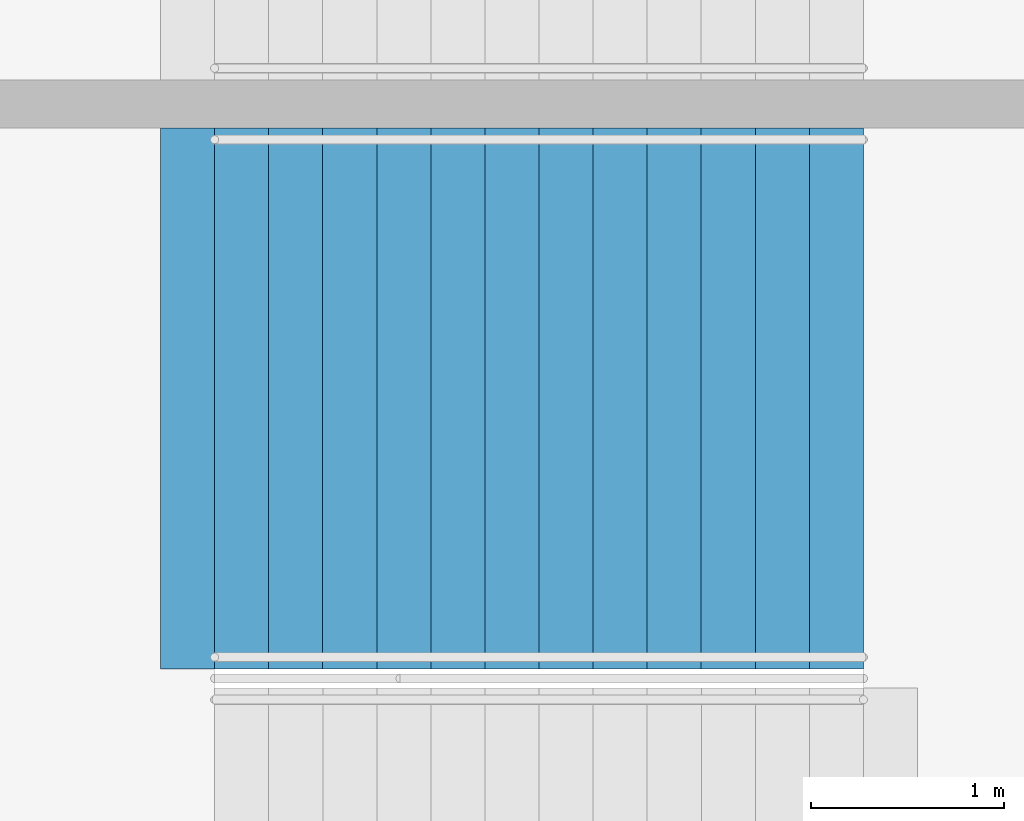
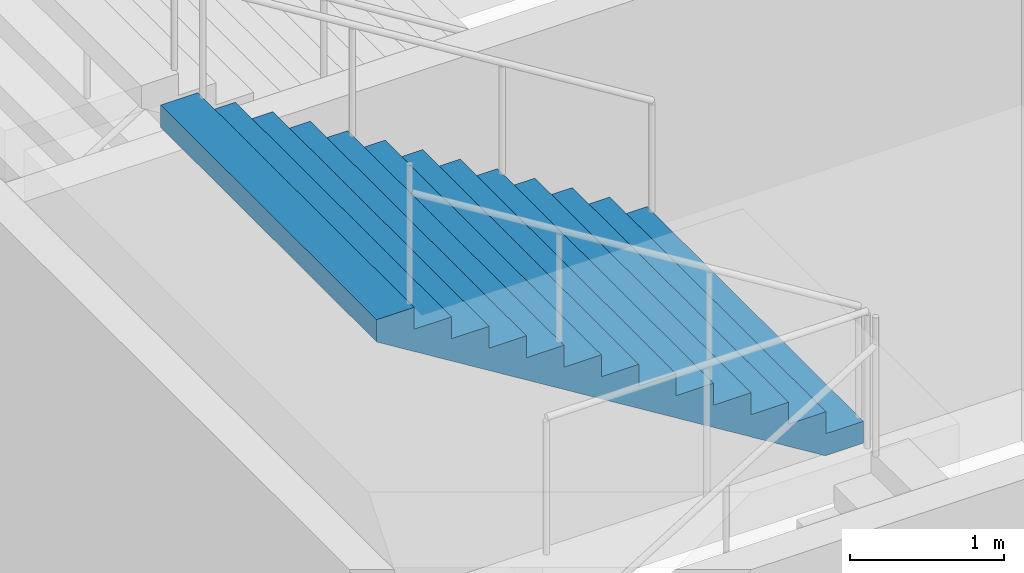
# One storey, part 172 of 199: 1 stair flight, 1 element without a shape of its own.
"""IFC4 building model written with IfcOpenShell, lengths in metres."""

import ifcopenshell
import ifcopenshell.guid

model = None  # the IFC model being written
_history = None  # IfcOwnerHistory: only IFC2X3 demands one
_inside = {}  # id of a spatial element -> (the spatial element, [elements in it])
_under = {}  # id of a project, library or spatial element -> (it, [spatial elements below it])
_declared = {}  # id of a project -> (the project, [libraries it declares])
_typed = {}  # id of a type object -> (the type object, [elements of that type])
_made_of = {}  # id of a material, layer set ... -> (it, [elements and type objects made of it])


def new_model(schema):
    """Start an empty IFC model of exactly this schema.

    Asked for "IFC4X3", IfcOpenShell would pick the latest addendum, in which some entities
    have other attributes; the version numbers below select the first issue.
    IFC2X3 requires an IfcOwnerHistory on every rooted entity: one is made here for all.
    """
    global model, _history
    if schema == "IFC4X3":
        model = ifcopenshell.file(schema_version=(4, 3, 0, 0))
    else:
        model = ifcopenshell.file(schema=schema)
    _inside.clear()
    _under.clear()
    _declared.clear()
    _typed.clear()
    _made_of.clear()
    _history = None
    if model.schema == "IFC2X3":
        org = make("IfcOrganization", Name="unknown")
        user = make(
            "IfcPersonAndOrganization",
            ThePerson=make("IfcPerson", FamilyName="unknown"),
            TheOrganization=org,
        )
        app = make(
            "IfcApplication",
            ApplicationDeveloper=org,
            Version="unknown",
            ApplicationFullName="unknown",
            ApplicationIdentifier="unknown",
        )
        _history = make(
            "IfcOwnerHistory",
            OwningUser=user,
            OwningApplication=app,
            ChangeAction="ADDED",
            CreationDate=0,
        )
    return model


def make(cls, **values):
    """One entity of the class cls with the attributes given. An attribute that is None is left unset."""
    return model.create_entity(
        cls, **{name: value for name, value in values.items() if value is not None}
    )


def rooted(cls, **values):
    """An entity with a GlobalId (a new one), such as an element, a storey or a relation."""
    return make(cls, GlobalId=ifcopenshell.guid.new(), OwnerHistory=_history, **values)


def si_unit(unit_type, name, prefix=None):
    """IfcSIUnit, for example si_unit("LENGTHUNIT", "METRE", prefix="MILLI")."""
    return make("IfcSIUnit", UnitType=unit_type, Prefix=prefix, Name=name)


def assignment(units):
    """IfcUnitAssignment: the units of a project."""
    return None if units is None else make("IfcUnitAssignment", Units=units)


def point(xyz):
    """IfcCartesianPoint."""
    return None if xyz is None else make("IfcCartesianPoint", Coordinates=xyz)


def direction(xyz):
    """IfcDirection."""
    return None if xyz is None else make("IfcDirection", DirectionRatios=xyz)


def frame(location, z_axis=None, x_axis=None):
    """IfcAxis2Placement3D, a coordinate frame: its origin and axes. An axis left out is left unset."""
    return make(
        "IfcAxis2Placement3D",
        Location=point(location),
        Axis=direction(z_axis),
        RefDirection=direction(x_axis),
    )


def origin():
    """The frame at (0, 0, 0) with its axes left unset."""
    return frame((0.0, 0.0, 0.0))


def place(relative_to, where):
    """IfcLocalPlacement: puts the frame where relative to a parent placement (None: the world)."""
    return make(
        "IfcLocalPlacement", PlacementRelTo=relative_to, RelativePlacement=where
    )


def context(
    kind, dimensions, precision=None, world=None, true_north=None, identifier=None
):
    """IfcGeometricRepresentationContext, for example the 3D "Model" context."""
    return make(
        "IfcGeometricRepresentationContext",
        ContextIdentifier=identifier,
        ContextType=kind,
        CoordinateSpaceDimension=dimensions,
        Precision=precision,
        WorldCoordinateSystem=world,
        TrueNorth=true_north,
    )


def subcontext(parent, identifier, kind, view, scale=None):
    """IfcGeometricRepresentationSubContext, for example "Body" below "Model"."""
    return make(
        "IfcGeometricRepresentationSubContext",
        ContextIdentifier=identifier,
        ContextType=kind,
        ParentContext=parent,
        TargetScale=scale,
        TargetView=view,
    )


def project(units=None, contexts=None):
    """IfcProject with its units and contexts."""
    return rooted(
        "IfcProject",
        Name="project",
        RepresentationContexts=contexts,
        UnitsInContext=assignment(units),
    )


def spatial(cls, under=None, at=None, **own):
    """A site, building, storey or space (cls), placed at a placement, below another one or the project."""
    s = rooted(cls, ObjectPlacement=at, **own)
    if under is not None:
        _under.setdefault(under.id(), (under, []))[1].append(s)
    return s


def faces_of(points, faces, orient=None, outer=None):
    """IfcFace entities. A face is a list of loops; a loop is a list of indices into points, from 0.

    orient and outer hold one flag for each loop. By default every Orientation is true, the
    first loop of a face is its IfcFaceOuterBound and the others are IfcFaceBound.
    """
    made = []
    for i, loops in enumerate(faces):
        bounds = []
        for j, loop in enumerate(loops):
            is_outer = j == 0 if outer is None else outer[i][j]
            bounds.append(
                make(
                    "IfcFaceOuterBound" if is_outer else "IfcFaceBound",
                    Bound=make("IfcPolyLoop", Polygon=[points[k] for k in loop]),
                    Orientation=True if orient is None else orient[i][j],
                )
            )
        made.append(make("IfcFace", Bounds=bounds))
    return made


def faceted_brep(points, faces, orient=None, outer=None, voids=None):
    """IfcFacetedBrep: a solid bounded by flat faces; with voids (closed shells), ...WithVoids."""
    shared = [point(p) for p in points]
    hull = make("IfcClosedShell", CfsFaces=faces_of(shared, faces, orient, outer))
    if voids is None:
        return make("IfcFacetedBrep", Outer=hull)
    return make(
        "IfcFacetedBrepWithVoids",
        Outer=hull,
        Voids=[
            make(cls, CfsFaces=faces_of(shared, fs, o, b)) for cls, fs, o, b in voids
        ],
    )


def shape(context_of_items, identifier, shape_type, items):
    """IfcShapeRepresentation: the items that make up one representation, for example the "Body"."""
    return make(
        "IfcShapeRepresentation",
        ContextOfItems=context_of_items,
        RepresentationIdentifier=identifier,
        RepresentationType=shape_type,
        Items=items,
    )


def material(Name=None, Category=None):
    """IfcMaterial."""
    return make("IfcMaterial", Name=Name, Category=Category)


def made_of(thing, what):
    """Note that an element or type object is made of a material, layer set ...; save() writes the relation."""
    if what is not None:
        _made_of.setdefault(what.id(), (what, []))[1].append(thing)
    return thing


def type_object(cls, material=None, **own):
    """A type object (cls), such as IfcWallType, which elements share."""
    return made_of(rooted(cls, **own), material)


def element(
    cls,
    number,
    at=None,
    inside=None,
    cuts=None,
    type_object=None,
    material=None,
    context=None,
    identifier="Body",
    shape_type=None,
    held_by="IfcProductDefinitionShape",
    body=None,
    shapes=None,
    **own,
):
    """One element of the class cls, such as IfcWall. Its Tag is "e" and its number.

    at: its placement. inside: the storey or other place that contains it. cuts: it is an
    opening in that element (IfcRelVoidsElement). A single representation is given by context,
    identifier, shape_type and body (its items); several are given by shapes. held_by: the class
    of the entity that holds the representations. save() writes the other relations.
    """
    e = rooted(cls, Tag="e%d" % number, ObjectPlacement=at, **own)
    if body is not None:
        shapes = [shape(context, identifier, shape_type, body)]
    if shapes is not None:
        e.Representation = make(held_by, Representations=shapes)
    if inside is not None:
        _inside.setdefault(inside.id(), (inside, []))[1].append(e)
    if cuts is not None:
        rooted(
            "IfcRelVoidsElement", RelatingBuildingElement=cuts, RelatedOpeningElement=e
        )
    if type_object is not None:
        _typed.setdefault(type_object.id(), (type_object, []))[1].append(e)
    return made_of(e, material)


def aggregate(whole, parts):
    """IfcRelAggregates: a whole, such as a stair, and the parts it consists of."""
    return rooted("IfcRelAggregates", RelatingObject=whole, RelatedObjects=parts)


def save(model, path):
    """Write the relations noted so far, then the file.

    IfcRelAggregates (storeys below a building ...), IfcRelContainedInSpatialStructure (elements
    in a storey), IfcRelDefinesByType, IfcRelAssociatesMaterial and IfcRelDeclares: one each for
    every whole, place, type object, material and project.
    """
    for whole, parts in _under.values():
        aggregate(whole, parts)
    for where, things in _inside.values():
        rooted(
            "IfcRelContainedInSpatialStructure",
            RelatedElements=things,
            RelatingStructure=where,
        )
    for kind, things in _typed.values():
        rooted("IfcRelDefinesByType", RelatedObjects=things, RelatingType=kind)
    for what, things in _made_of.values():
        rooted("IfcRelAssociatesMaterial", RelatedObjects=things, RelatingMaterial=what)
    for by, libraries in _declared.values():
        rooted("IfcRelDeclares", RelatingContext=by, RelatedDefinitions=libraries)
    model.write(path)


model = new_model("IFC4")

# Units and contexts
model_context = context("Model", 3, precision=1e-05, world=origin(), true_north=direction((0.0, 1.0)))
body_context = subcontext(model_context, "Body", "Model", "MODEL_VIEW")
ifc_project = project(units=[si_unit("LENGTHUNIT", "METRE"), si_unit("AREAUNIT", "SQUARE_METRE"), si_unit("VOLUMEUNIT", "CUBIC_METRE"), si_unit("PLANEANGLEUNIT", "RADIAN"), si_unit("MASSUNIT", "GRAM", prefix="KILO")], contexts=[model_context])

# Site, building, storey
site_placement = place(None, origin())
site = spatial("IfcSite", under=ifc_project, at=site_placement, CompositionType="ELEMENT")
building_placement = place(site_placement, origin())
building = spatial("IfcBuilding", under=site, at=building_placement, Name="Ogive Plaza Stadium", CompositionType="ELEMENT")
storey_placement = place(building_placement, frame((0.0, 0.0, 9.0)))
storey = spatial("IfcBuildingStorey", under=building, at=storey_placement, Name="L02", CompositionType="ELEMENT", Elevation=9.0)

# Stair, stair flight
ifc_material_1 = material(Name="Concrete C40/50", Category="concrete")
stair_type = type_object("IfcStairType", Name="Exit stair", PredefinedType="STRAIGHT_RUN_STAIR", material=ifc_material_1)
stair_placement = place(storey_placement, origin())
stair = element("IfcStair", 1, at=stair_placement, inside=storey, type_object=stair_type, Name="Exit stair ST02A L02 to L03", PredefinedType="STRAIGHT_RUN_STAIR")
ifc_material_2 = material(Name="Concrete C40/50", Category="concrete")
stair_flight_type = type_object("IfcStairFlightType", Name="Exit stair flight", PredefinedType="STRAIGHT", material=ifc_material_2)
stair_flight_placement = place(storey_placement, frame((79.7099609375, 35.97509765625, 2.25), z_axis=(0.0, 0.0, 1.0), x_axis=(-1.0, 0.0, 0.0)))
stair_flight = element("IfcStairFlight", 2, at=stair_flight_placement, type_object=stair_flight_type, Name="ST02A flight 2", NumberOfRisers=13, NumberOfTreads=12, PredefinedType="STRAIGHT", RiserHeight=0.173076923, TreadLength=0.28, context=body_context, shape_type="Brep", body=[
    faceted_brep([(0.28515625, -1.39990234375, 0.0), (3.639892578125, -1.39990234375, 2.07373046875), (3.639892578125, -1.39990234375, 2.25), (3.360107421875, -1.39990234375, 2.25), (3.360107421875, -1.39990234375, 2.076904296875), (3.080078125, -1.39990234375, 2.076904296875), (3.080078125, -1.39990234375, 1.90380859375), (2.800048828125, -1.39990234375, 1.90380859375), (2.800048828125, -1.39990234375, 1.730712890625), (2.52001953125, -1.39990234375, 1.730712890625), (2.52001953125, -1.39990234375, 1.5576171875), (2.239990234375, -1.39990234375, 1.5576171875), (2.239990234375, -1.39990234375, 1.384521484375), (1.9599609375, -1.39990234375, 1.384521484375), (1.9599609375, -1.39990234375, 1.21142578125), (1.679931640625, -1.39990234375, 1.21142578125), (1.679931640625, -1.39990234375, 1.03857421875), (1.39990234375, -1.39990234375, 1.03857421875), (1.39990234375, -1.39990234375, 0.865478515625), (1.1201171875, -1.39990234375, 0.865478515625), (1.1201171875, -1.39990234375, 0.6923828125), (0.840087890625, -1.39990234375, 0.6923828125), (0.840087890625, -1.39990234375, 0.519287109375), (0.56005859375, -1.39990234375, 0.519287109375), (0.56005859375, -1.39990234375, 0.34619140625), (0.280029296875, -1.39990234375, 0.34619140625), (0.280029296875, -1.39990234375, 0.173095703125), (0.0, -1.39990234375, 0.173095703125), (0.0, -1.39990234375, 0.0), (0.0, 1.39990234375, 0.0), (0.0, 1.39990234375, 0.173095703125), (0.280029296875, 1.39990234375, 0.173095703125), (0.280029296875, 1.39990234375, 0.34619140625), (0.56005859375, 1.39990234375, 0.34619140625), (0.56005859375, 1.39990234375, 0.519287109375), (0.840087890625, 1.39990234375, 0.519287109375), (0.840087890625, 1.39990234375, 0.6923828125), (1.1201171875, 1.39990234375, 0.6923828125), (1.1201171875, 1.39990234375, 0.865478515625), (1.39990234375, 1.39990234375, 0.865478515625), (1.39990234375, 1.39990234375, 1.03857421875), (1.679931640625, 1.39990234375, 1.03857421875), (1.679931640625, 1.39990234375, 1.21142578125), (1.9599609375, 1.39990234375, 1.21142578125), (1.9599609375, 1.39990234375, 1.384521484375), (2.239990234375, 1.39990234375, 1.384521484375), (2.239990234375, 1.39990234375, 1.5576171875), (2.52001953125, 1.39990234375, 1.5576171875), (2.52001953125, 1.39990234375, 1.730712890625), (2.800048828125, 1.39990234375, 1.730712890625), (2.800048828125, 1.39990234375, 1.90380859375), (3.080078125, 1.39990234375, 1.90380859375), (3.080078125, 1.39990234375, 2.076904296875), (3.360107421875, 1.39990234375, 2.076904296875), (3.360107421875, 1.39990234375, 2.25), (3.639892578125, 1.39990234375, 2.25), (3.639892578125, 1.39990234375, 2.07373046875), (0.28515625, 1.39990234375, 0.0), (0.28515625, -1.0888671875, 0.0), (3.639892578125, -1.0888671875, 2.07373046875), (0.28515625, -0.77783203125, 0.0), (3.639892578125, -0.77783203125, 2.07373046875), (0.28515625, -0.466796875, 0.0), (3.639892578125, -0.466796875, 2.07373046875), (0.28515625, -0.155517578125, 0.0), (3.639892578125, -0.155517578125, 2.07373046875), (0.28515625, 0.155517578125, 0.0), (3.639892578125, 0.155517578125, 2.07373046875), (0.28515625, 0.466796875, 0.0), (3.639892578125, 0.466796875, 2.07373046875), (0.28515625, 0.77783203125, 0.0), (3.639892578125, 0.77783203125, 2.07373046875), (0.28515625, 1.0888671875, 0.0), (3.639892578125, 1.0888671875, 2.07373046875), (3.639892578125, -1.0888671875, 2.25), (3.639892578125, -0.77783203125, 2.25), (3.639892578125, -0.466796875, 2.25), (3.639892578125, -0.155517578125, 2.25), (3.639892578125, 0.155517578125, 2.25), (3.639892578125, 0.466796875, 2.25), (3.639892578125, 0.77783203125, 2.25), (3.639892578125, 1.0888671875, 2.25), (3.360107421875, -1.0888671875, 2.25), (3.360107421875, -0.77783203125, 2.25), (3.360107421875, -0.466796875, 2.25), (3.360107421875, -0.155517578125, 2.25), (3.360107421875, 0.155517578125, 2.25), (3.360107421875, 0.466796875, 2.25), (3.360107421875, 0.77783203125, 2.25), (3.360107421875, 1.0888671875, 2.25), (3.360107421875, -1.0888671875, 2.076904296875), (3.360107421875, -0.77783203125, 2.076904296875), (3.360107421875, -0.466796875, 2.076904296875), (3.360107421875, -0.155517578125, 2.076904296875), (3.360107421875, 0.155517578125, 2.076904296875), (3.360107421875, 0.466796875, 2.076904296875), (3.360107421875, 0.77783203125, 2.076904296875), (3.360107421875, 1.0888671875, 2.076904296875), (3.080078125, -1.0888671875, 2.076904296875), (3.080078125, -0.77783203125, 2.076904296875), (3.080078125, -0.466796875, 2.076904296875), (3.080078125, -0.155517578125, 2.076904296875), (3.080078125, 0.155517578125, 2.076904296875), (3.080078125, 0.466796875, 2.076904296875), (3.080078125, 0.77783203125, 2.076904296875), (3.080078125, 1.0888671875, 2.076904296875), (3.080078125, -1.0888671875, 1.90380859375), (3.080078125, -0.77783203125, 1.90380859375), (3.080078125, -0.466796875, 1.90380859375), (3.080078125, -0.155517578125, 1.90380859375), (3.080078125, 0.155517578125, 1.90380859375), (3.080078125, 0.466796875, 1.90380859375), (3.080078125, 0.77783203125, 1.90380859375), (3.080078125, 1.0888671875, 1.90380859375), (2.800048828125, -1.0888671875, 1.90380859375), (2.800048828125, -0.77783203125, 1.90380859375), (2.800048828125, -0.466796875, 1.90380859375), (2.800048828125, -0.155517578125, 1.90380859375), (2.800048828125, 0.155517578125, 1.90380859375), (2.800048828125, 0.466796875, 1.90380859375), (2.800048828125, 0.77783203125, 1.90380859375), (2.800048828125, 1.0888671875, 1.90380859375), (2.800048828125, -1.0888671875, 1.730712890625), (2.800048828125, -0.77783203125, 1.730712890625), (2.800048828125, -0.466796875, 1.730712890625), (2.800048828125, -0.155517578125, 1.730712890625), (2.800048828125, 0.155517578125, 1.730712890625), (2.800048828125, 0.466796875, 1.730712890625), (2.800048828125, 0.77783203125, 1.730712890625), (2.800048828125, 1.0888671875, 1.730712890625), (2.52001953125, -1.0888671875, 1.730712890625), (2.52001953125, -0.77783203125, 1.730712890625), (2.52001953125, -0.466796875, 1.730712890625), (2.52001953125, -0.155517578125, 1.730712890625), (2.52001953125, 0.155517578125, 1.730712890625), (2.52001953125, 0.466796875, 1.730712890625), (2.52001953125, 0.77783203125, 1.730712890625), (2.52001953125, 1.0888671875, 1.730712890625), (2.52001953125, -1.0888671875, 1.5576171875), (2.52001953125, -0.77783203125, 1.5576171875), (2.52001953125, -0.466796875, 1.5576171875), (2.52001953125, -0.155517578125, 1.5576171875), (2.52001953125, 0.155517578125, 1.5576171875), (2.52001953125, 0.466796875, 1.5576171875), (2.52001953125, 0.77783203125, 1.5576171875), (2.52001953125, 1.0888671875, 1.5576171875), (2.239990234375, -1.0888671875, 1.5576171875), (2.239990234375, -0.77783203125, 1.5576171875), (2.239990234375, -0.466796875, 1.5576171875), (2.239990234375, -0.155517578125, 1.5576171875), (2.239990234375, 0.155517578125, 1.5576171875), (2.239990234375, 0.466796875, 1.5576171875), (2.239990234375, 0.77783203125, 1.5576171875), (2.239990234375, 1.0888671875, 1.5576171875), (2.239990234375, -1.0888671875, 1.384521484375), (2.239990234375, -0.77783203125, 1.384521484375), (2.239990234375, -0.466796875, 1.384521484375), (2.239990234375, -0.155517578125, 1.384521484375), (2.239990234375, 0.155517578125, 1.384521484375), (2.239990234375, 0.466796875, 1.384521484375), (2.239990234375, 0.77783203125, 1.384521484375), (2.239990234375, 1.0888671875, 1.384521484375), (1.9599609375, -1.0888671875, 1.384521484375), (1.9599609375, -0.77783203125, 1.384521484375), (1.9599609375, -0.466796875, 1.384521484375), (1.9599609375, -0.155517578125, 1.384521484375), (1.9599609375, 0.155517578125, 1.384521484375), (1.9599609375, 0.466796875, 1.384521484375), (1.9599609375, 0.77783203125, 1.384521484375), (1.9599609375, 1.0888671875, 1.384521484375), (1.9599609375, -1.0888671875, 1.21142578125), (1.9599609375, -0.77783203125, 1.21142578125), (1.9599609375, -0.466796875, 1.21142578125), (1.9599609375, -0.155517578125, 1.21142578125), (1.9599609375, 0.155517578125, 1.21142578125), (1.9599609375, 0.466796875, 1.21142578125), (1.9599609375, 0.77783203125, 1.21142578125), (1.9599609375, 1.0888671875, 1.21142578125), (1.679931640625, -1.0888671875, 1.21142578125), (1.679931640625, -0.77783203125, 1.21142578125), (1.679931640625, -0.466796875, 1.21142578125), (1.679931640625, -0.155517578125, 1.21142578125), (1.679931640625, 0.155517578125, 1.21142578125), (1.679931640625, 0.466796875, 1.21142578125), (1.679931640625, 0.77783203125, 1.21142578125), (1.679931640625, 1.0888671875, 1.21142578125), (1.679931640625, -1.0888671875, 1.03857421875), (1.679931640625, -0.77783203125, 1.03857421875), (1.679931640625, -0.466796875, 1.03857421875), (1.679931640625, -0.155517578125, 1.03857421875), (1.679931640625, 0.155517578125, 1.03857421875), (1.679931640625, 0.466796875, 1.03857421875), (1.679931640625, 0.77783203125, 1.03857421875), (1.679931640625, 1.0888671875, 1.03857421875), (1.39990234375, -1.0888671875, 1.03857421875), (1.39990234375, -0.77783203125, 1.03857421875), (1.39990234375, -0.466796875, 1.03857421875), (1.39990234375, -0.155517578125, 1.03857421875), (1.39990234375, 0.155517578125, 1.03857421875), (1.39990234375, 0.466796875, 1.03857421875), (1.39990234375, 0.77783203125, 1.03857421875), (1.39990234375, 1.0888671875, 1.03857421875), (1.39990234375, -1.0888671875, 0.865478515625), (1.39990234375, -0.77783203125, 0.865478515625), (1.39990234375, -0.466796875, 0.865478515625), (1.39990234375, -0.155517578125, 0.865478515625), (1.39990234375, 0.155517578125, 0.865478515625), (1.39990234375, 0.466796875, 0.865478515625), (1.39990234375, 0.77783203125, 0.865478515625), (1.39990234375, 1.0888671875, 0.865478515625), (1.1201171875, -1.0888671875, 0.865478515625), (1.1201171875, -0.77783203125, 0.865478515625), (1.1201171875, -0.466796875, 0.865478515625), (1.1201171875, -0.155517578125, 0.865478515625), (1.1201171875, 0.155517578125, 0.865478515625), (1.1201171875, 0.466796875, 0.865478515625), (1.1201171875, 0.77783203125, 0.865478515625), (1.1201171875, 1.0888671875, 0.865478515625), (1.1201171875, -1.0888671875, 0.6923828125), (1.1201171875, -0.77783203125, 0.6923828125), (1.1201171875, -0.466796875, 0.6923828125), (1.1201171875, -0.155517578125, 0.6923828125), (1.1201171875, 0.155517578125, 0.6923828125), (1.1201171875, 0.466796875, 0.6923828125), (1.1201171875, 0.77783203125, 0.6923828125), (1.1201171875, 1.0888671875, 0.6923828125), (0.840087890625, -1.0888671875, 0.6923828125), (0.840087890625, -0.77783203125, 0.6923828125), (0.840087890625, -0.466796875, 0.6923828125), (0.840087890625, -0.155517578125, 0.6923828125), (0.840087890625, 0.155517578125, 0.6923828125), (0.840087890625, 0.466796875, 0.6923828125), (0.840087890625, 0.77783203125, 0.6923828125), (0.840087890625, 1.0888671875, 0.6923828125), (0.840087890625, -1.0888671875, 0.519287109375), (0.840087890625, -0.77783203125, 0.519287109375), (0.840087890625, -0.466796875, 0.519287109375), (0.840087890625, -0.155517578125, 0.519287109375), (0.840087890625, 0.155517578125, 0.519287109375), (0.840087890625, 0.466796875, 0.519287109375), (0.840087890625, 0.77783203125, 0.519287109375), (0.840087890625, 1.0888671875, 0.519287109375), (0.56005859375, -1.0888671875, 0.519287109375), (0.56005859375, -0.77783203125, 0.519287109375), (0.56005859375, -0.466796875, 0.519287109375), (0.56005859375, -0.155517578125, 0.519287109375), (0.56005859375, 0.155517578125, 0.519287109375), (0.56005859375, 0.466796875, 0.519287109375), (0.56005859375, 0.77783203125, 0.519287109375), (0.56005859375, 1.0888671875, 0.519287109375), (0.56005859375, -1.0888671875, 0.34619140625), (0.56005859375, -0.77783203125, 0.34619140625), (0.56005859375, -0.466796875, 0.34619140625), (0.56005859375, -0.155517578125, 0.34619140625), (0.56005859375, 0.155517578125, 0.34619140625), (0.56005859375, 0.466796875, 0.34619140625), (0.56005859375, 0.77783203125, 0.34619140625), (0.56005859375, 1.0888671875, 0.34619140625), (0.280029296875, -1.0888671875, 0.34619140625), (0.280029296875, -0.77783203125, 0.34619140625), (0.280029296875, -0.466796875, 0.34619140625), (0.280029296875, -0.155517578125, 0.34619140625), (0.280029296875, 0.155517578125, 0.34619140625), (0.280029296875, 0.466796875, 0.34619140625), (0.280029296875, 0.77783203125, 0.34619140625), (0.280029296875, 1.0888671875, 0.34619140625), (0.280029296875, -1.0888671875, 0.173095703125), (0.280029296875, -0.77783203125, 0.173095703125), (0.280029296875, -0.466796875, 0.173095703125), (0.280029296875, -0.155517578125, 0.173095703125), (0.280029296875, 0.155517578125, 0.173095703125), (0.280029296875, 0.466796875, 0.173095703125), (0.280029296875, 0.77783203125, 0.173095703125), (0.280029296875, 1.0888671875, 0.173095703125), (0.0, -1.0888671875, 0.173095703125), (0.0, -0.77783203125, 0.173095703125), (0.0, -0.466796875, 0.173095703125), (0.0, -0.155517578125, 0.173095703125), (0.0, 0.155517578125, 0.173095703125), (0.0, 0.466796875, 0.173095703125), (0.0, 0.77783203125, 0.173095703125), (0.0, 1.0888671875, 0.173095703125), (0.0, -1.0888671875, 0.0), (0.0, -0.77783203125, 0.0), (0.0, -0.466796875, 0.0), (0.0, -0.155517578125, 0.0), (0.0, 0.155517578125, 0.0), (0.0, 0.466796875, 0.0), (0.0, 0.77783203125, 0.0), (0.0, 1.0888671875, 0.0)], [[[0, 1, 2, 3, 4, 5, 6, 7, 8, 9, 10, 11, 12, 13, 14, 15, 16, 17, 18, 19, 20, 21, 22, 23, 24, 25, 26, 27, 28]], [[29, 30, 31, 32, 33, 34, 35, 36, 37, 38, 39, 40, 41, 42, 43, 44, 45, 46, 47, 48, 49, 50, 51, 52, 53, 54, 55, 56, 57]], [[0, 58, 59, 1]], [[58, 60, 61, 59]], [[60, 62, 63, 61]], [[62, 64, 65, 63]], [[64, 66, 67, 65]], [[66, 68, 69, 67]], [[68, 70, 71, 69]], [[70, 72, 73, 71]], [[72, 57, 56, 73]], [[1, 59, 74, 2]], [[59, 61, 75, 74]], [[61, 63, 76, 75]], [[63, 65, 77, 76]], [[65, 67, 78, 77]], [[67, 69, 79, 78]], [[69, 71, 80, 79]], [[71, 73, 81, 80]], [[73, 56, 55, 81]], [[2, 74, 82, 3]], [[74, 75, 83, 82]], [[75, 76, 84, 83]], [[76, 77, 85, 84]], [[77, 78, 86, 85]], [[78, 79, 87, 86]], [[79, 80, 88, 87]], [[80, 81, 89, 88]], [[81, 55, 54, 89]], [[3, 82, 90, 4]], [[82, 83, 91, 90]], [[83, 84, 92, 91]], [[84, 85, 93, 92]], [[85, 86, 94, 93]], [[86, 87, 95, 94]], [[87, 88, 96, 95]], [[88, 89, 97, 96]], [[89, 54, 53, 97]], [[4, 90, 98, 5]], [[90, 91, 99, 98]], [[91, 92, 100, 99]], [[92, 93, 101, 100]], [[93, 94, 102, 101]], [[94, 95, 103, 102]], [[95, 96, 104, 103]], [[96, 97, 105, 104]], [[97, 53, 52, 105]], [[5, 98, 106, 6]], [[98, 99, 107, 106]], [[99, 100, 108, 107]], [[100, 101, 109, 108]], [[101, 102, 110, 109]], [[102, 103, 111, 110]], [[103, 104, 112, 111]], [[104, 105, 113, 112]], [[105, 52, 51, 113]], [[6, 106, 114, 7]], [[106, 107, 115, 114]], [[107, 108, 116, 115]], [[108, 109, 117, 116]], [[109, 110, 118, 117]], [[110, 111, 119, 118]], [[111, 112, 120, 119]], [[112, 113, 121, 120]], [[113, 51, 50, 121]], [[7, 114, 122, 8]], [[114, 115, 123, 122]], [[115, 116, 124, 123]], [[116, 117, 125, 124]], [[117, 118, 126, 125]], [[118, 119, 127, 126]], [[119, 120, 128, 127]], [[120, 121, 129, 128]], [[121, 50, 49, 129]], [[8, 122, 130, 9]], [[122, 123, 131, 130]], [[123, 124, 132, 131]], [[124, 125, 133, 132]], [[125, 126, 134, 133]], [[126, 127, 135, 134]], [[127, 128, 136, 135]], [[128, 129, 137, 136]], [[129, 49, 48, 137]], [[9, 130, 138, 10]], [[130, 131, 139, 138]], [[131, 132, 140, 139]], [[132, 133, 141, 140]], [[133, 134, 142, 141]], [[134, 135, 143, 142]], [[135, 136, 144, 143]], [[136, 137, 145, 144]], [[137, 48, 47, 145]], [[10, 138, 146, 11]], [[138, 139, 147, 146]], [[139, 140, 148, 147]], [[140, 141, 149, 148]], [[141, 142, 150, 149]], [[142, 143, 151, 150]], [[143, 144, 152, 151]], [[144, 145, 153, 152]], [[145, 47, 46, 153]], [[11, 146, 154, 12]], [[146, 147, 155, 154]], [[147, 148, 156, 155]], [[148, 149, 157, 156]], [[149, 150, 158, 157]], [[150, 151, 159, 158]], [[151, 152, 160, 159]], [[152, 153, 161, 160]], [[153, 46, 45, 161]], [[12, 154, 162, 13]], [[154, 155, 163, 162]], [[155, 156, 164, 163]], [[156, 157, 165, 164]], [[157, 158, 166, 165]], [[158, 159, 167, 166]], [[159, 160, 168, 167]], [[160, 161, 169, 168]], [[161, 45, 44, 169]], [[13, 162, 170, 14]], [[162, 163, 171, 170]], [[163, 164, 172, 171]], [[164, 165, 173, 172]], [[165, 166, 174, 173]], [[166, 167, 175, 174]], [[167, 168, 176, 175]], [[168, 169, 177, 176]], [[169, 44, 43, 177]], [[14, 170, 178, 15]], [[170, 171, 179, 178]], [[171, 172, 180, 179]], [[172, 173, 181, 180]], [[173, 174, 182, 181]], [[174, 175, 183, 182]], [[175, 176, 184, 183]], [[176, 177, 185, 184]], [[177, 43, 42, 185]], [[15, 178, 186, 16]], [[178, 179, 187, 186]], [[179, 180, 188, 187]], [[180, 181, 189, 188]], [[181, 182, 190, 189]], [[182, 183, 191, 190]], [[183, 184, 192, 191]], [[184, 185, 193, 192]], [[185, 42, 41, 193]], [[16, 186, 194, 17]], [[186, 187, 195, 194]], [[187, 188, 196, 195]], [[188, 189, 197, 196]], [[189, 190, 198, 197]], [[190, 191, 199, 198]], [[191, 192, 200, 199]], [[192, 193, 201, 200]], [[193, 41, 40, 201]], [[17, 194, 202, 18]], [[194, 195, 203, 202]], [[195, 196, 204, 203]], [[196, 197, 205, 204]], [[197, 198, 206, 205]], [[198, 199, 207, 206]], [[199, 200, 208, 207]], [[200, 201, 209, 208]], [[201, 40, 39, 209]], [[18, 202, 210, 19]], [[202, 203, 211, 210]], [[203, 204, 212, 211]], [[204, 205, 213, 212]], [[205, 206, 214, 213]], [[206, 207, 215, 214]], [[207, 208, 216, 215]], [[208, 209, 217, 216]], [[209, 39, 38, 217]], [[19, 210, 218, 20]], [[210, 211, 219, 218]], [[211, 212, 220, 219]], [[212, 213, 221, 220]], [[213, 214, 222, 221]], [[214, 215, 223, 222]], [[215, 216, 224, 223]], [[216, 217, 225, 224]], [[217, 38, 37, 225]], [[20, 218, 226, 21]], [[218, 219, 227, 226]], [[219, 220, 228, 227]], [[220, 221, 229, 228]], [[221, 222, 230, 229]], [[222, 223, 231, 230]], [[223, 224, 232, 231]], [[224, 225, 233, 232]], [[225, 37, 36, 233]], [[21, 226, 234, 22]], [[226, 227, 235, 234]], [[227, 228, 236, 235]], [[228, 229, 237, 236]], [[229, 230, 238, 237]], [[230, 231, 239, 238]], [[231, 232, 240, 239]], [[232, 233, 241, 240]], [[233, 36, 35, 241]], [[22, 234, 242, 23]], [[234, 235, 243, 242]], [[235, 236, 244, 243]], [[236, 237, 245, 244]], [[237, 238, 246, 245]], [[238, 239, 247, 246]], [[239, 240, 248, 247]], [[240, 241, 249, 248]], [[241, 35, 34, 249]], [[23, 242, 250, 24]], [[242, 243, 251, 250]], [[243, 244, 252, 251]], [[244, 245, 253, 252]], [[245, 246, 254, 253]], [[246, 247, 255, 254]], [[247, 248, 256, 255]], [[248, 249, 257, 256]], [[249, 34, 33, 257]], [[24, 250, 258, 25]], [[250, 251, 259, 258]], [[251, 252, 260, 259]], [[252, 253, 261, 260]], [[253, 254, 262, 261]], [[254, 255, 263, 262]], [[255, 256, 264, 263]], [[256, 257, 265, 264]], [[257, 33, 32, 265]], [[25, 258, 266, 26]], [[258, 259, 267, 266]], [[259, 260, 268, 267]], [[260, 261, 269, 268]], [[261, 262, 270, 269]], [[262, 263, 271, 270]], [[263, 264, 272, 271]], [[264, 265, 273, 272]], [[265, 32, 31, 273]], [[26, 266, 274, 27]], [[266, 267, 275, 274]], [[267, 268, 276, 275]], [[268, 269, 277, 276]], [[269, 270, 278, 277]], [[270, 271, 279, 278]], [[271, 272, 280, 279]], [[272, 273, 281, 280]], [[273, 31, 30, 281]], [[27, 274, 282, 28]], [[274, 275, 283, 282]], [[275, 276, 284, 283]], [[276, 277, 285, 284]], [[277, 278, 286, 285]], [[278, 279, 287, 286]], [[279, 280, 288, 287]], [[280, 281, 289, 288]], [[281, 30, 29, 289]], [[28, 282, 58, 0]], [[282, 283, 60, 58]], [[283, 284, 62, 60]], [[284, 285, 64, 62]], [[285, 286, 66, 64]], [[286, 287, 68, 66]], [[287, 288, 70, 68]], [[288, 289, 72, 70]], [[289, 29, 57, 72]]]),
])
aggregate(stair, [stair_flight])

save(model, "model.ifc")
